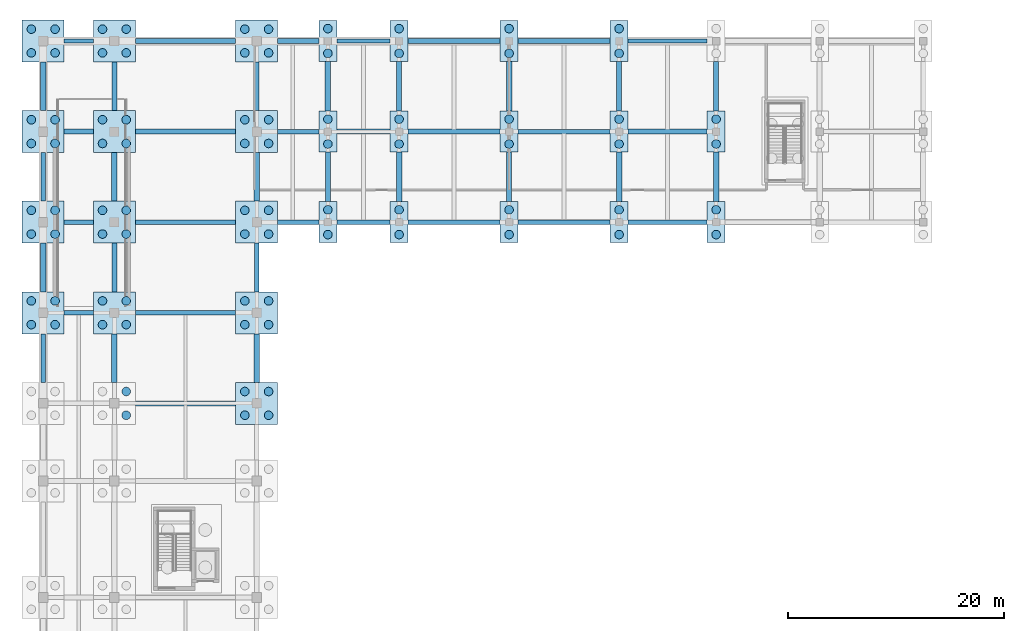
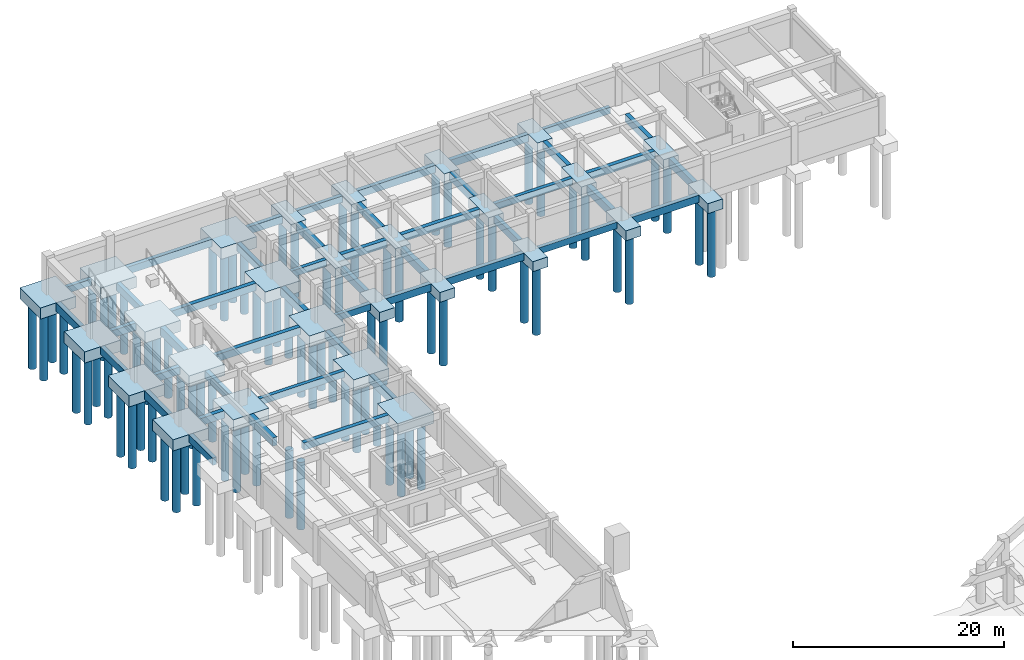
# One storey, part 4 of 28: 82 piles, 73 footings.
"""IFC4 building model written with IfcOpenShell, lengths in metres."""

from ifc_helpers import new_model, si_unit, direction, frame, origin, origin_2d, place, context, subcontext, project, spatial, rectangle, circle, extrude, material, layer, layer_set, material_profile, profile_set, type_object, element, save


model = new_model("IFC4")

# Units and contexts
model_context = context("Model", 3, precision=1e-05, world=origin(), true_north=direction((0.0, 1.0)))
body_context = subcontext(model_context, "Body", "Model", "MODEL_VIEW")
ifc_project = project(units=[si_unit("LENGTHUNIT", "METRE"), si_unit("AREAUNIT", "SQUARE_METRE"), si_unit("VOLUMEUNIT", "CUBIC_METRE"), si_unit("PLANEANGLEUNIT", "RADIAN"), si_unit("MASSUNIT", "GRAM", prefix="KILO")], contexts=[model_context])

# Site, building, storey
site_placement = place(None, origin())
site = spatial("IfcSite", under=ifc_project, at=site_placement, CompositionType="ELEMENT")
building_placement = place(site_placement, origin())
building = spatial("IfcBuilding", under=site, at=building_placement, Name="Miralva Faculty of Natural Sciences", CompositionType="ELEMENT")
storey_placement = place(building_placement, frame((0.0, 0.0, -4.5)))
storey = spatial("IfcBuildingStorey", under=building, at=storey_placement, Name="B1", CompositionType="ELEMENT", Elevation=-4.5)

# Footings
ifc_material = material(Name="Concrete C35/45", Category="concrete")
ifc_layer_1 = layer(ifc_material, 1.14990234375, Name="CAP-PC03")
ifc_layer_set_1 = layer_set([ifc_layer_1], Name="Concrete C35/45")
footing_type_1 = type_object("IfcFootingType", Name="CAP-PC03", PredefinedType="PILE_CAP", material=ifc_layer_set_1)
for number, where, z_axis, x_axis, name in (
    (1, (29.39990234375, 100.199951171875, -1.14990234375), (0.0, 0.0, 1.0), (1.0, 0.0, 0.0), "Pile cap CS-V4N-5L"),
    (2, (29.39990234375, 108.60009765625, -1.14990234375), (0.0, 0.0, 1.0), (1.0, 0.0, 0.0), "Pile cap CS-V4N-5M"),
    (3, (29.39990234375, 117.0, -1.14990234375), (0.0, 0.0, 1.0), (1.0, 0.0, 0.0), "Pile cap CS-V4N-5N"),
    (4, (36.0, 100.199951171875, -1.14990234375), (0.0, 0.0, 1.0), (1.0, 0.0, 0.0), "Pile cap CS-V4N-6L"),
    (5, (36.0, 108.60009765625, -1.14990234375), (0.0, 0.0, 1.0), (1.0, 0.0, 0.0), "Pile cap CS-V4N-6M"),
    (6, (36.0, 117.0, -1.14990234375), (0.0, 0.0, 1.0), (1.0, 0.0, 0.0), "Pile cap CS-V4N-6N"),
    (7, (46.199951171875, 100.199951171875, -1.14990234375), (0.0, 0.0, 1.0), (1.0, 0.0, 0.0), "Pile cap CS-V4N-7L"),
    (8, (46.199951171875, 108.60009765625, -1.14990234375), (0.0, 0.0, 1.0), (1.0, 0.0, 0.0), "Pile cap CS-V4N-7M"),
    (9, (46.199951171875, 117.0, -1.14990234375), (0.0, 0.0, 1.0), (1.0, 0.0, 0.0), "Pile cap CS-V4N-7N"),
    (10, (56.39990234375, 100.199951171875, -1.14990234375), (0.0, 0.0, 1.0), (1.0, 0.0, 0.0), "Pile cap CS-V4N-8L"),
    (11, (56.39990234375, 108.60009765625, -1.14990234375), (0.0, 0.0, 1.0), (1.0, 0.0, 0.0), "Pile cap CS-V4N-8M"),
    (12, (56.39990234375, 117.0, -1.14990234375), (0.0, 0.0, 1.0), (1.0, 0.0, 0.0), "Pile cap CS-V4N-8N"),
    (13, (65.39990234375, 100.199951171875, -1.14990234375), (0.0, 0.0, 1.0), (1.0, 0.0, 0.0), "Pile cap CS-V4N-9L"),
    (14, (65.39990234375, 108.60009765625, -1.14990234375), (0.0, 0.0, 1.0), (1.0, 0.0, 0.0), "Pile cap CS-V4N-9M"),
):
    element("IfcFooting", number, at=place(storey_placement, frame(where, z_axis=z_axis, x_axis=x_axis)), inside=storey, type_object=footing_type_1, Name=name, PredefinedType="PILE_CAP", context=body_context, shape_type="SweptSolid", body=[
        extrude(rectangle(XDim=1.64990234375, YDim=3.800048828125, at=origin_2d()), origin(), (0.0, 0.0, 1.0), 1.14990234375),
    ])
ifc_layer_2 = layer(ifc_material, 1.300048828125, Name="CAP-PC05")
ifc_layer_set_2 = layer_set([ifc_layer_2], Name="Concrete C35/45")
footing_type_2 = type_object("IfcFootingType", Name="CAP-PC05", PredefinedType="PILE_CAP", material=ifc_layer_set_2)
for number, where, z_axis, x_axis, name in (
    (15, (3.0, 91.800048828125, -1.2998046875), (0.0, 0.0, 1.0), (1.0, 0.0, 0.0), "Pile cap CS-V4W-1K"),
    (16, (3.0, 100.199951171875, -1.2998046875), (0.0, 0.0, 1.0), (1.0, 0.0, 0.0), "Pile cap CS-V4W-1L"),
    (17, (3.0, 108.60009765625, -1.2998046875), (0.0, 0.0, 1.0), (1.0, 0.0, 0.0), "Pile cap CS-V4W-1M"),
    (18, (3.0, 117.0, -1.2998046875), (0.0, 0.0, 1.0), (1.0, 0.0, 0.0), "Pile cap CS-V4W-1N"),
    (19, (9.60009765625, 91.800048828125, -1.2998046875), (0.0, 0.0, 1.0), (1.0, 0.0, 0.0), "Pile cap CS-V4W-2K"),
    (20, (9.60009765625, 100.199951171875, -1.2998046875), (0.0, 0.0, 1.0), (1.0, 0.0, 0.0), "Pile cap CS-V4W-2L"),
    (21, (9.60009765625, 108.60009765625, -1.2998046875), (0.0, 0.0, 1.0), (1.0, 0.0, 0.0), "Pile cap CS-V4W-2M"),
    (22, (9.60009765625, 117.0, -1.2998046875), (0.0, 0.0, 1.0), (1.0, 0.0, 0.0), "Pile cap CS-V4W-2N"),
    (23, (22.800048828125, 83.39990234375, -1.2998046875), (0.0, 0.0, 1.0), (1.0, 0.0, 0.0), "Pile cap CS-V4W-4J"),
    (24, (22.800048828125, 91.800048828125, -1.2998046875), (0.0, 0.0, 1.0), (1.0, 0.0, 0.0), "Pile cap CS-V4W-4K"),
    (25, (22.800048828125, 100.199951171875, -1.2998046875), (0.0, 0.0, 1.0), (1.0, 0.0, 0.0), "Pile cap CS-V4W-4L"),
    (26, (22.800048828125, 108.60009765625, -1.2998046875), (0.0, 0.0, 1.0), (1.0, 0.0, 0.0), "Pile cap CS-V4W-4M"),
    (27, (22.800048828125, 117.0, -1.2998046875), (0.0, 0.0, 1.0), (1.0, 0.0, 0.0), "Pile cap CS-V4W-4N"),
):
    element("IfcFooting", number, at=place(storey_placement, frame(where, z_axis=z_axis, x_axis=x_axis)), inside=storey, type_object=footing_type_2, Name=name, PredefinedType="PILE_CAP", context=body_context, shape_type="SweptSolid", body=[
        extrude(rectangle(XDim=3.89990234375, YDim=3.89990234375, at=origin_2d()), origin(), (0.0, 0.0, 1.0), 1.300048828125),
    ])

# Piles
ifc_material_profile_1 = material_profile(ifc_material, circle(Radius=0.39990234375, at=origin_2d()), Name="BORED PILE 800")
ifc_profile_set_1 = profile_set([ifc_material_profile_1], Name="Concrete C35/45")
pile_type = type_object("IfcPileType", Name="PILE-P800", PredefinedType="BORED", material=ifc_profile_set_1)
for number, where, z_axis, x_axis, name in (
    (28, (1.89990234375, 90.699951171875, -1.14990234375), (0.0, 0.0, -1.0), (1.0, 0.0, 0.0), "Bored pile CS-V4W-1K-1"),
    (29, (4.10009765625, 90.699951171875, -1.14990234375), (0.0, 0.0, -1.0), (1.0, 0.0, 0.0), "Bored pile CS-V4W-1K-2"),
    (30, (1.89990234375, 92.89990234375, -1.14990234375), (0.0, 0.0, -1.0), (1.0, 0.0, 0.0), "Bored pile CS-V4W-1K-3"),
    (31, (4.10009765625, 92.89990234375, -1.14990234375), (0.0, 0.0, -1.0), (1.0, 0.0, 0.0), "Bored pile CS-V4W-1K-4"),
    (32, (1.89990234375, 99.10009765625, -1.14990234375), (0.0, 0.0, -1.0), (1.0, 0.0, 0.0), "Bored pile CS-V4W-1L-1"),
    (33, (4.10009765625, 99.10009765625, -1.14990234375), (0.0, 0.0, -1.0), (1.0, 0.0, 0.0), "Bored pile CS-V4W-1L-2"),
    (34, (1.89990234375, 101.300048828125, -1.14990234375), (0.0, 0.0, -1.0), (1.0, 0.0, 0.0), "Bored pile CS-V4W-1L-3"),
    (35, (4.10009765625, 101.300048828125, -1.14990234375), (0.0, 0.0, -1.0), (1.0, 0.0, 0.0), "Bored pile CS-V4W-1L-4"),
    (36, (1.89990234375, 107.5, -1.14990234375), (0.0, 0.0, -1.0), (1.0, 0.0, 0.0), "Bored pile CS-V4W-1M-1"),
    (37, (4.10009765625, 107.5, -1.14990234375), (0.0, 0.0, -1.0), (1.0, 0.0, 0.0), "Bored pile CS-V4W-1M-2"),
    (38, (1.89990234375, 109.699951171875, -1.14990234375), (0.0, 0.0, -1.0), (1.0, 0.0, 0.0), "Bored pile CS-V4W-1M-3"),
    (39, (4.10009765625, 109.699951171875, -1.14990234375), (0.0, 0.0, -1.0), (1.0, 0.0, 0.0), "Bored pile CS-V4W-1M-4"),
    (40, (1.89990234375, 115.89990234375, -1.14990234375), (0.0, 0.0, -1.0), (1.0, 0.0, 0.0), "Bored pile CS-V4W-1N-1"),
    (41, (4.10009765625, 115.89990234375, -1.14990234375), (0.0, 0.0, -1.0), (1.0, 0.0, 0.0), "Bored pile CS-V4W-1N-2"),
    (42, (1.89990234375, 118.10009765625, -1.14990234375), (0.0, 0.0, -1.0), (1.0, 0.0, 0.0), "Bored pile CS-V4W-1N-3"),
    (43, (4.10009765625, 118.10009765625, -1.14990234375), (0.0, 0.0, -1.0), (1.0, 0.0, 0.0), "Bored pile CS-V4W-1N-4"),
    (44, (10.699951171875, 82.300048828125, -1.14990234375), (0.0, 0.0, -1.0), (1.0, 0.0, 0.0), "Bored pile CS-V4W-2J-2"),
    (45, (10.699951171875, 84.5, -1.14990234375), (0.0, 0.0, -1.0), (1.0, 0.0, 0.0), "Bored pile CS-V4W-2J-4"),
    (46, (8.5, 90.699951171875, -1.14990234375), (0.0, 0.0, -1.0), (1.0, 0.0, 0.0), "Bored pile CS-V4W-2K-1"),
    (47, (10.699951171875, 90.699951171875, -1.14990234375), (0.0, 0.0, -1.0), (1.0, 0.0, 0.0), "Bored pile CS-V4W-2K-2"),
    (48, (8.5, 92.89990234375, -1.14990234375), (0.0, 0.0, -1.0), (1.0, 0.0, 0.0), "Bored pile CS-V4W-2K-3"),
    (49, (10.699951171875, 92.89990234375, -1.14990234375), (0.0, 0.0, -1.0), (1.0, 0.0, 0.0), "Bored pile CS-V4W-2K-4"),
    (50, (8.5, 99.10009765625, -1.14990234375), (0.0, 0.0, -1.0), (1.0, 0.0, 0.0), "Bored pile CS-V4W-2L-1"),
    (51, (10.699951171875, 99.10009765625, -1.14990234375), (0.0, 0.0, -1.0), (1.0, 0.0, 0.0), "Bored pile CS-V4W-2L-2"),
    (52, (8.5, 101.300048828125, -1.14990234375), (0.0, 0.0, -1.0), (1.0, 0.0, 0.0), "Bored pile CS-V4W-2L-3"),
    (53, (10.699951171875, 101.300048828125, -1.14990234375), (0.0, 0.0, -1.0), (1.0, 0.0, 0.0), "Bored pile CS-V4W-2L-4"),
    (54, (8.5, 107.5, -1.14990234375), (0.0, 0.0, -1.0), (1.0, 0.0, 0.0), "Bored pile CS-V4W-2M-1"),
    (55, (10.699951171875, 107.5, -1.14990234375), (0.0, 0.0, -1.0), (1.0, 0.0, 0.0), "Bored pile CS-V4W-2M-2"),
    (56, (8.5, 109.699951171875, -1.14990234375), (0.0, 0.0, -1.0), (1.0, 0.0, 0.0), "Bored pile CS-V4W-2M-3"),
    (57, (10.699951171875, 109.699951171875, -1.14990234375), (0.0, 0.0, -1.0), (1.0, 0.0, 0.0), "Bored pile CS-V4W-2M-4"),
    (58, (8.5, 115.89990234375, -1.14990234375), (0.0, 0.0, -1.0), (1.0, 0.0, 0.0), "Bored pile CS-V4W-2N-1"),
    (59, (10.699951171875, 115.89990234375, -1.14990234375), (0.0, 0.0, -1.0), (1.0, 0.0, 0.0), "Bored pile CS-V4W-2N-2"),
    (60, (8.5, 118.10009765625, -1.14990234375), (0.0, 0.0, -1.0), (1.0, 0.0, 0.0), "Bored pile CS-V4W-2N-3"),
    (61, (10.699951171875, 118.10009765625, -1.14990234375), (0.0, 0.0, -1.0), (1.0, 0.0, 0.0), "Bored pile CS-V4W-2N-4"),
    (62, (21.699951171875, 82.300048828125, -1.14990234375), (0.0, 0.0, -1.0), (1.0, 0.0, 0.0), "Bored pile CS-V4W-4J-1"),
    (63, (23.89990234375, 82.300048828125, -1.14990234375), (0.0, 0.0, -1.0), (1.0, 0.0, 0.0), "Bored pile CS-V4W-4J-2"),
    (64, (21.699951171875, 84.5, -1.14990234375), (0.0, 0.0, -1.0), (1.0, 0.0, 0.0), "Bored pile CS-V4W-4J-3"),
    (65, (23.89990234375, 84.5, -1.14990234375), (0.0, 0.0, -1.0), (1.0, 0.0, 0.0), "Bored pile CS-V4W-4J-4"),
    (66, (21.699951171875, 90.699951171875, -1.14990234375), (0.0, 0.0, -1.0), (1.0, 0.0, 0.0), "Bored pile CS-V4W-4K-1"),
    (67, (23.89990234375, 90.699951171875, -1.14990234375), (0.0, 0.0, -1.0), (1.0, 0.0, 0.0), "Bored pile CS-V4W-4K-2"),
    (68, (21.699951171875, 92.89990234375, -1.14990234375), (0.0, 0.0, -1.0), (1.0, 0.0, 0.0), "Bored pile CS-V4W-4K-3"),
    (69, (23.89990234375, 92.89990234375, -1.14990234375), (0.0, 0.0, -1.0), (1.0, 0.0, 0.0), "Bored pile CS-V4W-4K-4"),
    (70, (21.699951171875, 99.10009765625, -1.14990234375), (0.0, 0.0, -1.0), (1.0, 0.0, 0.0), "Bored pile CS-V4W-4L-1"),
    (71, (23.89990234375, 99.10009765625, -1.14990234375), (0.0, 0.0, -1.0), (1.0, 0.0, 0.0), "Bored pile CS-V4W-4L-2"),
    (72, (21.699951171875, 101.300048828125, -1.14990234375), (0.0, 0.0, -1.0), (1.0, 0.0, 0.0), "Bored pile CS-V4W-4L-3"),
    (73, (23.89990234375, 101.300048828125, -1.14990234375), (0.0, 0.0, -1.0), (1.0, 0.0, 0.0), "Bored pile CS-V4W-4L-4"),
    (74, (21.699951171875, 107.5, -1.14990234375), (0.0, 0.0, -1.0), (1.0, 0.0, 0.0), "Bored pile CS-V4W-4M-1"),
    (75, (23.89990234375, 107.5, -1.14990234375), (0.0, 0.0, -1.0), (1.0, 0.0, 0.0), "Bored pile CS-V4W-4M-2"),
    (76, (21.699951171875, 109.699951171875, -1.14990234375), (0.0, 0.0, -1.0), (1.0, 0.0, 0.0), "Bored pile CS-V4W-4M-3"),
    (77, (23.89990234375, 109.699951171875, -1.14990234375), (0.0, 0.0, -1.0), (1.0, 0.0, 0.0), "Bored pile CS-V4W-4M-4"),
    (78, (21.699951171875, 115.89990234375, -1.14990234375), (0.0, 0.0, -1.0), (1.0, 0.0, 0.0), "Bored pile CS-V4W-4N-1"),
    (79, (23.89990234375, 115.89990234375, -1.14990234375), (0.0, 0.0, -1.0), (1.0, 0.0, 0.0), "Bored pile CS-V4W-4N-2"),
    (80, (21.699951171875, 118.10009765625, -1.14990234375), (0.0, 0.0, -1.0), (1.0, 0.0, 0.0), "Bored pile CS-V4W-4N-3"),
    (81, (23.89990234375, 118.10009765625, -1.14990234375), (0.0, 0.0, -1.0), (1.0, 0.0, 0.0), "Bored pile CS-V4W-4N-4"),
):
    element("IfcPile", number, at=place(storey_placement, frame(where, z_axis=z_axis, x_axis=x_axis)), inside=storey, type_object=pile_type, Name=name, PredefinedType="BORED", context=body_context, shape_type="SweptSolid", body=[
        extrude(circle(Radius=0.39990234375, at=origin_2d()), origin(), (0.0, 0.0, 1.0), 7.85009765625),
    ])
for number, where, z_axis, x_axis, name in (
    (82, (29.39990234375, 99.050048828125, -1.0), (0.0, 0.0, -1.0), (1.0, 0.0, 0.0), "Bored pile CS-V4N-5L-1"),
    (83, (29.39990234375, 101.35009765625, -1.0), (0.0, 0.0, -1.0), (1.0, 0.0, 0.0), "Bored pile CS-V4N-5L-2"),
    (84, (29.39990234375, 107.449951171875, -1.0), (0.0, 0.0, -1.0), (1.0, 0.0, 0.0), "Bored pile CS-V4N-5M-1"),
    (85, (29.39990234375, 109.75, -1.0), (0.0, 0.0, -1.0), (1.0, 0.0, 0.0), "Bored pile CS-V4N-5M-2"),
    (86, (29.39990234375, 115.85009765625, -1.0), (0.0, 0.0, -1.0), (1.0, 0.0, 0.0), "Bored pile CS-V4N-5N-1"),
    (87, (29.39990234375, 118.14990234375, -1.0), (0.0, 0.0, -1.0), (1.0, 0.0, 0.0), "Bored pile CS-V4N-5N-2"),
    (88, (36.0, 99.050048828125, -1.0), (0.0, 0.0, -1.0), (1.0, 0.0, 0.0), "Bored pile CS-V4N-6L-1"),
    (89, (36.0, 101.35009765625, -1.0), (0.0, 0.0, -1.0), (1.0, 0.0, 0.0), "Bored pile CS-V4N-6L-2"),
    (90, (36.0, 107.449951171875, -1.0), (0.0, 0.0, -1.0), (1.0, 0.0, 0.0), "Bored pile CS-V4N-6M-1"),
    (91, (36.0, 109.75, -1.0), (0.0, 0.0, -1.0), (1.0, 0.0, 0.0), "Bored pile CS-V4N-6M-2"),
    (92, (36.0, 115.85009765625, -1.0), (0.0, 0.0, -1.0), (1.0, 0.0, 0.0), "Bored pile CS-V4N-6N-1"),
    (93, (36.0, 118.14990234375, -1.0), (0.0, 0.0, -1.0), (1.0, 0.0, 0.0), "Bored pile CS-V4N-6N-2"),
    (94, (46.199951171875, 99.050048828125, -1.0), (0.0, 0.0, -1.0), (1.0, 0.0, 0.0), "Bored pile CS-V4N-7L-1"),
    (95, (46.199951171875, 101.35009765625, -1.0), (0.0, 0.0, -1.0), (1.0, 0.0, 0.0), "Bored pile CS-V4N-7L-2"),
    (96, (46.199951171875, 107.449951171875, -1.0), (0.0, 0.0, -1.0), (1.0, 0.0, 0.0), "Bored pile CS-V4N-7M-1"),
    (97, (46.199951171875, 109.75, -1.0), (0.0, 0.0, -1.0), (1.0, 0.0, 0.0), "Bored pile CS-V4N-7M-2"),
    (98, (46.199951171875, 115.85009765625, -1.0), (0.0, 0.0, -1.0), (1.0, 0.0, 0.0), "Bored pile CS-V4N-7N-1"),
    (99, (46.199951171875, 118.14990234375, -1.0), (0.0, 0.0, -1.0), (1.0, 0.0, 0.0), "Bored pile CS-V4N-7N-2"),
    (100, (56.39990234375, 99.050048828125, -1.0), (0.0, 0.0, -1.0), (1.0, 0.0, 0.0), "Bored pile CS-V4N-8L-1"),
    (101, (56.39990234375, 101.35009765625, -1.0), (0.0, 0.0, -1.0), (1.0, 0.0, 0.0), "Bored pile CS-V4N-8L-2"),
    (102, (56.39990234375, 107.449951171875, -1.0), (0.0, 0.0, -1.0), (1.0, 0.0, 0.0), "Bored pile CS-V4N-8M-1"),
    (103, (56.39990234375, 109.75, -1.0), (0.0, 0.0, -1.0), (1.0, 0.0, 0.0), "Bored pile CS-V4N-8M-2"),
    (104, (56.39990234375, 115.85009765625, -1.0), (0.0, 0.0, -1.0), (1.0, 0.0, 0.0), "Bored pile CS-V4N-8N-1"),
    (105, (56.39990234375, 118.14990234375, -1.0), (0.0, 0.0, -1.0), (1.0, 0.0, 0.0), "Bored pile CS-V4N-8N-2"),
    (106, (65.39990234375, 99.050048828125, -1.0), (0.0, 0.0, -1.0), (1.0, 0.0, 0.0), "Bored pile CS-V4N-9L-1"),
    (107, (65.39990234375, 101.35009765625, -1.0), (0.0, 0.0, -1.0), (1.0, 0.0, 0.0), "Bored pile CS-V4N-9L-2"),
    (108, (65.39990234375, 107.449951171875, -1.0), (0.0, 0.0, -1.0), (1.0, 0.0, 0.0), "Bored pile CS-V4N-9M-1"),
    (109, (65.39990234375, 109.75, -1.0), (0.0, 0.0, -1.0), (1.0, 0.0, 0.0), "Bored pile CS-V4N-9M-2"),
):
    element("IfcPile", number, at=place(storey_placement, frame(where, z_axis=z_axis, x_axis=x_axis)), inside=storey, type_object=pile_type, Name=name, PredefinedType="BORED", context=body_context, shape_type="SweptSolid", body=[
        extrude(circle(Radius=0.39990234375, at=origin_2d()), origin(), (0.0, 0.0, 1.0), 8.0),
    ])

# Footings
ifc_material_profile_2 = material_profile(ifc_material, rectangle(XDim=0.449951171875, YDim=0.85009765625, at=origin_2d()), Name="RC 450x850")
ifc_profile_set_2 = profile_set([ifc_material_profile_2], Name="Concrete C35/45")
footing_type_3 = type_object("IfcFootingType", Name="TB-01", PredefinedType="FOOTING_BEAM", material=ifc_profile_set_2)
for number, where, z_axis, x_axis, name in (
    (110, (3.0, 85.35009765625, -0.425048828125), (0.0, 1.0, 0.0), (-1.0, 0.0, 0.0), "Foundation tie beam NS 10"),
    (111, (3.0, 102.14990234375, -0.425048828125), (0.0, 1.0, 0.0), (-1.0, 0.0, 0.0), "Foundation tie beam NS 12"),
    (112, (9.60009765625, 93.75, -0.425048828125), (0.0, 1.0, 0.0), (-1.0, 0.0, 0.0), "Foundation tie beam NS 24"),
    (113, (9.60009765625, 110.550048828125, -0.425048828125), (0.0, 1.0, 0.0), (-1.0, 0.0, 0.0), "Foundation tie beam NS 26"),
    (114, (22.800048828125, 93.75, -0.425048828125), (0.0, 1.0, 0.0), (-1.0, 0.0, 0.0), "Foundation tie beam NS 38"),
    (115, (22.800048828125, 110.550048828125, -0.425048828125), (0.0, 1.0, 0.0), (-1.0, 0.0, 0.0), "Foundation tie beam NS 40"),
):
    element("IfcFooting", number, at=place(storey_placement, frame(where, z_axis=z_axis, x_axis=x_axis)), inside=storey, type_object=footing_type_3, Name=name, PredefinedType="FOOTING_BEAM", context=body_context, shape_type="SweptSolid", body=[
        extrude(rectangle(XDim=0.449951171875, YDim=0.85009765625, at=origin_2d()), origin(), (0.0, 0.0, 1.0), 4.5),
    ])
footing_1_placement = place(storey_placement, frame((29.39990234375, 102.10009765625, -0.425048828125), z_axis=(0.0, 1.0, 0.0), x_axis=(-1.0, 0.0, 0.0)))
element("IfcFooting", 116, at=footing_1_placement, inside=storey, type_object=footing_type_3, Name="Foundation tie beam NS 44", PredefinedType="FOOTING_BEAM", context=body_context, shape_type="SweptSolid", body=[
    extrude(rectangle(XDim=0.449951171875, YDim=0.85009765625, at=origin_2d()), origin(), (0.0, 0.0, 1.0), 4.599853515625),
])
footing_2_placement = place(storey_placement, frame((36.0, 110.5, -0.425048828125), z_axis=(0.0, 1.0, 0.0), x_axis=(-1.0, 0.0, 0.0)))
element("IfcFooting", 117, at=footing_2_placement, inside=storey, type_object=footing_type_3, Name="Foundation tie beam NS 50", PredefinedType="FOOTING_BEAM", context=body_context, shape_type="SweptSolid", body=[
    extrude(rectangle(XDim=0.449951171875, YDim=0.85009765625, at=origin_2d()), origin(), (0.0, 0.0, 1.0), 4.60009765625),
])
footing_3_placement = place(storey_placement, frame((46.199951171875, 102.10009765625, -0.425048828125), z_axis=(0.0, 1.0, 0.0), x_axis=(-1.0, 0.0, 0.0)))
element("IfcFooting", 118, at=footing_3_placement, inside=storey, type_object=footing_type_3, Name="Foundation tie beam NS 52", PredefinedType="FOOTING_BEAM", context=body_context, shape_type="SweptSolid", body=[
    extrude(rectangle(XDim=0.449951171875, YDim=0.85009765625, at=origin_2d()), origin(), (0.0, 0.0, 1.0), 4.599853515625),
])
for number, where, z_axis, x_axis, name in (
    (119, (56.39990234375, 110.5, -0.425048828125), (0.0, 1.0, 0.0), (-1.0, 0.0, 0.0), "Foundation tie beam NS 56"),
    (120, (65.39990234375, 110.5, -0.425048828125), (0.0, 1.0, 0.0), (-1.0, 0.0, 0.0), "Foundation tie beam NS 58"),
):
    element("IfcFooting", number, at=place(storey_placement, frame(where, z_axis=z_axis, x_axis=x_axis)), inside=storey, type_object=footing_type_3, Name=name, PredefinedType="FOOTING_BEAM", context=body_context, shape_type="SweptSolid", body=[
        extrude(rectangle(XDim=0.449951171875, YDim=0.85009765625, at=origin_2d()), origin(), (0.0, 0.0, 1.0), 4.60009765625),
    ])
footing_4_placement = place(storey_placement, frame((11.550048828125, 83.39990234375, -0.425048828125), z_axis=(1.0, 0.0, 0.0), x_axis=(0.0, 1.0, 0.0)))
element("IfcFooting", 121, at=footing_4_placement, inside=storey, type_object=footing_type_3, Name="Foundation tie beam EW 178", PredefinedType="FOOTING_BEAM", context=body_context, shape_type="SweptSolid", body=[
    extrude(rectangle(XDim=0.449951171875, YDim=0.85009765625, at=origin_2d()), origin(), (0.0, 0.0, 1.0), 9.300048828125),
])
for number, where, z_axis, x_axis, name in (
    (122, (4.949951171875, 91.800048828125, -0.425048828125), (1.0, 0.0, 0.0), (0.0, 1.0, 0.0), "Foundation tie beam EW 182"),
    (123, (4.949951171875, 100.199951171875, -0.425048828125), (1.0, 0.0, 0.0), (0.0, 1.0, 0.0), "Foundation tie beam EW 187"),
):
    element("IfcFooting", number, at=place(storey_placement, frame(where, z_axis=z_axis, x_axis=x_axis)), inside=storey, type_object=footing_type_3, Name=name, PredefinedType="FOOTING_BEAM", context=body_context, shape_type="SweptSolid", body=[
        extrude(rectangle(XDim=0.449951171875, YDim=0.85009765625, at=origin_2d()), origin(), (0.0, 0.0, 1.0), 2.699951171875),
    ])
footing_5_placement = place(storey_placement, frame((11.550048828125, 100.199951171875, -0.425048828125), z_axis=(1.0, 0.0, 0.0), x_axis=(0.0, 1.0, 0.0)))
element("IfcFooting", 124, at=footing_5_placement, inside=storey, type_object=footing_type_3, Name="Foundation tie beam EW 188", PredefinedType="FOOTING_BEAM", context=body_context, shape_type="SweptSolid", body=[
    extrude(rectangle(XDim=0.449951171875, YDim=0.85009765625, at=origin_2d()), origin(), (0.0, 0.0, 1.0), 9.300048828125),
])
footing_6_placement = place(storey_placement, frame((30.22509765625, 100.199951171875, -0.425048828125), z_axis=(1.0, 0.0, 0.0), x_axis=(0.0, 1.0, 0.0)))
element("IfcFooting", 125, at=footing_6_placement, inside=storey, type_object=footing_type_3, Name="Foundation tie beam EW 190", PredefinedType="FOOTING_BEAM", context=body_context, shape_type="SweptSolid", body=[
    extrude(rectangle(XDim=0.449951171875, YDim=0.85009765625, at=origin_2d()), origin(), (0.0, 0.0, 1.0), 4.949951171875),
])
footing_7_placement = place(storey_placement, frame((36.824951171875, 100.199951171875, -0.425048828125), z_axis=(1.0, 0.0, 0.0), x_axis=(0.0, 1.0, 0.0)))
element("IfcFooting", 126, at=footing_7_placement, inside=storey, type_object=footing_type_3, Name="Foundation tie beam EW 191", PredefinedType="FOOTING_BEAM", context=body_context, shape_type="SweptSolid", body=[
    extrude(rectangle(XDim=0.449951171875, YDim=0.85009765625, at=origin_2d()), origin(), (0.0, 0.0, 1.0), 8.550048828125),
])
footing_8_placement = place(storey_placement, frame((57.22509765625, 100.199951171875, -0.425048828125), z_axis=(1.0, 0.0, 0.0), x_axis=(0.0, 1.0, 0.0)))
element("IfcFooting", 127, at=footing_8_placement, inside=storey, type_object=footing_type_3, Name="Foundation tie beam EW 193", PredefinedType="FOOTING_BEAM", context=body_context, shape_type="SweptSolid", body=[
    extrude(rectangle(XDim=0.449951171875, YDim=0.85009765625, at=origin_2d()), origin(), (0.0, 0.0, 1.0), 7.349853515625),
])
footing_9_placement = place(storey_placement, frame((4.949951171875, 108.60009765625, -0.425048828125), z_axis=(1.0, 0.0, 0.0), x_axis=(0.0, 1.0, 0.0)))
element("IfcFooting", 128, at=footing_9_placement, inside=storey, type_object=footing_type_3, Name="Foundation tie beam EW 199", PredefinedType="FOOTING_BEAM", context=body_context, shape_type="SweptSolid", body=[
    extrude(rectangle(XDim=0.449951171875, YDim=0.85009765625, at=origin_2d()), origin(), (0.0, 0.0, 1.0), 2.699951171875),
])
footing_10_placement = place(storey_placement, frame((11.550048828125, 108.60009765625, -0.425048828125), z_axis=(1.0, 0.0, 0.0), x_axis=(0.0, 1.0, 0.0)))
element("IfcFooting", 129, at=footing_10_placement, inside=storey, type_object=footing_type_3, Name="Foundation tie beam EW 200", PredefinedType="FOOTING_BEAM", context=body_context, shape_type="SweptSolid", body=[
    extrude(rectangle(XDim=0.449951171875, YDim=0.85009765625, at=origin_2d()), origin(), (0.0, 0.0, 1.0), 9.300048828125),
])
footing_11_placement = place(storey_placement, frame((30.22509765625, 108.60009765625, -0.425048828125), z_axis=(1.0, 0.0, 0.0), x_axis=(0.0, 1.0, 0.0)))
element("IfcFooting", 130, at=footing_11_placement, inside=storey, type_object=footing_type_3, Name="Foundation tie beam EW 202", PredefinedType="FOOTING_BEAM", context=body_context, shape_type="SweptSolid", body=[
    extrude(rectangle(XDim=0.449951171875, YDim=0.85009765625, at=origin_2d()), origin(), (0.0, 0.0, 1.0), 4.949951171875),
])
footing_12_placement = place(storey_placement, frame((36.824951171875, 108.60009765625, -0.425048828125), z_axis=(1.0, 0.0, 0.0), x_axis=(0.0, 1.0, 0.0)))
element("IfcFooting", 131, at=footing_12_placement, inside=storey, type_object=footing_type_3, Name="Foundation tie beam EW 203", PredefinedType="FOOTING_BEAM", context=body_context, shape_type="SweptSolid", body=[
    extrude(rectangle(XDim=0.449951171875, YDim=0.85009765625, at=origin_2d()), origin(), (0.0, 0.0, 1.0), 8.550048828125),
])
footing_13_placement = place(storey_placement, frame((57.22509765625, 108.60009765625, -0.425048828125), z_axis=(1.0, 0.0, 0.0), x_axis=(0.0, 1.0, 0.0)))
element("IfcFooting", 132, at=footing_13_placement, inside=storey, type_object=footing_type_3, Name="Foundation tie beam EW 205", PredefinedType="FOOTING_BEAM", context=body_context, shape_type="SweptSolid", body=[
    extrude(rectangle(XDim=0.449951171875, YDim=0.85009765625, at=origin_2d()), origin(), (0.0, 0.0, 1.0), 7.349853515625),
])
footing_14_placement = place(storey_placement, frame((11.550048828125, 117.0, -0.425048828125), z_axis=(1.0, 0.0, 0.0), x_axis=(0.0, 1.0, 0.0)))
element("IfcFooting", 133, at=footing_14_placement, inside=storey, type_object=footing_type_3, Name="Foundation tie beam EW 211", PredefinedType="FOOTING_BEAM", context=body_context, shape_type="SweptSolid", body=[
    extrude(rectangle(XDim=0.449951171875, YDim=0.85009765625, at=origin_2d()), origin(), (0.0, 0.0, 1.0), 9.300048828125),
])
footing_15_placement = place(storey_placement, frame((24.75, 117.0, -0.425048828125), z_axis=(1.0, 0.0, 0.0), x_axis=(0.0, 1.0, 0.0)))
element("IfcFooting", 134, at=footing_15_placement, inside=storey, type_object=footing_type_3, Name="Foundation tie beam EW 212", PredefinedType="FOOTING_BEAM", context=body_context, shape_type="SweptSolid", body=[
    extrude(rectangle(XDim=0.449951171875, YDim=0.85009765625, at=origin_2d()), origin(), (0.0, 0.0, 1.0), 3.824951171875),
])
for number, where, z_axis, x_axis, name in (
    (135, (36.824951171875, 117.0, -0.425048828125), (1.0, 0.0, 0.0), (0.0, 1.0, 0.0), "Foundation tie beam EW 214"),
    (136, (47.02490234375, 117.0, -0.425048828125), (1.0, 0.0, 0.0), (0.0, 1.0, 0.0), "Foundation tie beam EW 215"),
):
    element("IfcFooting", number, at=place(storey_placement, frame(where, z_axis=z_axis, x_axis=x_axis)), inside=storey, type_object=footing_type_3, Name=name, PredefinedType="FOOTING_BEAM", context=body_context, shape_type="SweptSolid", body=[
        extrude(rectangle(XDim=0.449951171875, YDim=0.85009765625, at=origin_2d()), origin(), (0.0, 0.0, 1.0), 8.550048828125),
    ])
ifc_material_profile_3 = material_profile(ifc_material, rectangle(XDim=0.5, YDim=0.949951171875, at=origin_2d()), Name="RC 500x950")
ifc_profile_set_3 = profile_set([ifc_material_profile_3], Name="Concrete C35/45")
footing_type_4 = type_object("IfcFootingType", Name="TB-02", PredefinedType="FOOTING_BEAM", material=ifc_profile_set_3)
for number, where, z_axis, x_axis, name in (
    (137, (3.0, 93.75, -0.47509765625), (0.0, 1.0, 0.0), (-1.0, 0.0, 0.0), "Foundation tie beam NS 11"),
    (138, (3.0, 110.550048828125, -0.47509765625), (0.0, 1.0, 0.0), (-1.0, 0.0, 0.0), "Foundation tie beam NS 13"),
    (139, (9.60009765625, 85.35009765625, -0.47509765625), (0.0, 1.0, 0.0), (-1.0, 0.0, 0.0), "Foundation tie beam NS 23"),
    (140, (9.60009765625, 102.14990234375, -0.47509765625), (0.0, 1.0, 0.0), (-1.0, 0.0, 0.0), "Foundation tie beam NS 25"),
    (141, (22.800048828125, 85.35009765625, -0.47509765625), (0.0, 1.0, 0.0), (-1.0, 0.0, 0.0), "Foundation tie beam NS 37"),
    (142, (22.800048828125, 102.14990234375, -0.47509765625), (0.0, 1.0, 0.0), (-1.0, 0.0, 0.0), "Foundation tie beam NS 39"),
):
    element("IfcFooting", number, at=place(storey_placement, frame(where, z_axis=z_axis, x_axis=x_axis)), inside=storey, type_object=footing_type_4, Name=name, PredefinedType="FOOTING_BEAM", context=body_context, shape_type="SweptSolid", body=[
        extrude(rectangle(XDim=0.5, YDim=0.949951171875, at=origin_2d()), origin(), (0.0, 0.0, 1.0), 4.5),
    ])
footing_16_placement = place(storey_placement, frame((29.39990234375, 110.5, -0.47509765625), z_axis=(0.0, 1.0, 0.0), x_axis=(-1.0, 0.0, 0.0)))
element("IfcFooting", 143, at=footing_16_placement, inside=storey, type_object=footing_type_4, Name="Foundation tie beam NS 45", PredefinedType="FOOTING_BEAM", context=body_context, shape_type="SweptSolid", body=[
    extrude(rectangle(XDim=0.5, YDim=0.949951171875, at=origin_2d()), origin(), (0.0, 0.0, 1.0), 4.60009765625),
])
footing_17_placement = place(storey_placement, frame((36.0, 102.10009765625, -0.47509765625), z_axis=(0.0, 1.0, 0.0), x_axis=(-1.0, 0.0, 0.0)))
element("IfcFooting", 144, at=footing_17_placement, inside=storey, type_object=footing_type_4, Name="Foundation tie beam NS 49", PredefinedType="FOOTING_BEAM", context=body_context, shape_type="SweptSolid", body=[
    extrude(rectangle(XDim=0.5, YDim=0.949951171875, at=origin_2d()), origin(), (0.0, 0.0, 1.0), 4.599853515625),
])
footing_18_placement = place(storey_placement, frame((46.199951171875, 110.5, -0.47509765625), z_axis=(0.0, 1.0, 0.0), x_axis=(-1.0, 0.0, 0.0)))
element("IfcFooting", 145, at=footing_18_placement, inside=storey, type_object=footing_type_4, Name="Foundation tie beam NS 53", PredefinedType="FOOTING_BEAM", context=body_context, shape_type="SweptSolid", body=[
    extrude(rectangle(XDim=0.5, YDim=0.949951171875, at=origin_2d()), origin(), (0.0, 0.0, 1.0), 4.60009765625),
])
for number, where, z_axis, x_axis, name in (
    (146, (56.39990234375, 102.10009765625, -0.47509765625), (0.0, 1.0, 0.0), (-1.0, 0.0, 0.0), "Foundation tie beam NS 55"),
    (147, (65.39990234375, 102.10009765625, -0.47509765625), (0.0, 1.0, 0.0), (-1.0, 0.0, 0.0), "Foundation tie beam NS 57"),
):
    element("IfcFooting", number, at=place(storey_placement, frame(where, z_axis=z_axis, x_axis=x_axis)), inside=storey, type_object=footing_type_4, Name=name, PredefinedType="FOOTING_BEAM", context=body_context, shape_type="SweptSolid", body=[
        extrude(rectangle(XDim=0.5, YDim=0.949951171875, at=origin_2d()), origin(), (0.0, 0.0, 1.0), 4.599853515625),
    ])
ifc_material_profile_4 = material_profile(ifc_material, rectangle(XDim=0.39990234375, YDim=0.75, at=origin_2d()), Name="RC 400x750")
ifc_profile_set_4 = profile_set([ifc_material_profile_4], Name="Concrete C35/45")
footing_type_5 = type_object("IfcFootingType", Name="TB-04", PredefinedType="FOOTING_BEAM", material=ifc_profile_set_4)
footing_19_placement = place(storey_placement, frame((11.550048828125, 91.800048828125, -0.375), z_axis=(1.0, 0.0, 0.0), x_axis=(0.0, 1.0, 0.0)))
element("IfcFooting", 148, at=footing_19_placement, inside=storey, type_object=footing_type_5, Name="Foundation tie beam EW 183", PredefinedType="FOOTING_BEAM", context=body_context, shape_type="SweptSolid", body=[
    extrude(rectangle(XDim=0.39990234375, YDim=0.75, at=origin_2d()), origin(), (0.0, 0.0, 1.0), 9.300048828125),
])
footing_20_placement = place(storey_placement, frame((24.75, 100.199951171875, -0.375), z_axis=(1.0, 0.0, 0.0), x_axis=(0.0, 1.0, 0.0)))
element("IfcFooting", 149, at=footing_20_placement, inside=storey, type_object=footing_type_5, Name="Foundation tie beam EW 189", PredefinedType="FOOTING_BEAM", context=body_context, shape_type="SweptSolid", body=[
    extrude(rectangle(XDim=0.39990234375, YDim=0.75, at=origin_2d()), origin(), (0.0, 0.0, 1.0), 3.824951171875),
])
footing_21_placement = place(storey_placement, frame((47.02490234375, 100.199951171875, -0.375), z_axis=(1.0, 0.0, 0.0), x_axis=(0.0, 1.0, 0.0)))
element("IfcFooting", 150, at=footing_21_placement, inside=storey, type_object=footing_type_5, Name="Foundation tie beam EW 192", PredefinedType="FOOTING_BEAM", context=body_context, shape_type="SweptSolid", body=[
    extrude(rectangle(XDim=0.39990234375, YDim=0.75, at=origin_2d()), origin(), (0.0, 0.0, 1.0), 8.550048828125),
])
footing_22_placement = place(storey_placement, frame((24.75, 108.60009765625, -0.375), z_axis=(1.0, 0.0, 0.0), x_axis=(0.0, 1.0, 0.0)))
element("IfcFooting", 151, at=footing_22_placement, inside=storey, type_object=footing_type_5, Name="Foundation tie beam EW 201", PredefinedType="FOOTING_BEAM", context=body_context, shape_type="SweptSolid", body=[
    extrude(rectangle(XDim=0.39990234375, YDim=0.75, at=origin_2d()), origin(), (0.0, 0.0, 1.0), 3.824951171875),
])
footing_23_placement = place(storey_placement, frame((47.02490234375, 108.60009765625, -0.375), z_axis=(1.0, 0.0, 0.0), x_axis=(0.0, 1.0, 0.0)))
element("IfcFooting", 152, at=footing_23_placement, inside=storey, type_object=footing_type_5, Name="Foundation tie beam EW 204", PredefinedType="FOOTING_BEAM", context=body_context, shape_type="SweptSolid", body=[
    extrude(rectangle(XDim=0.39990234375, YDim=0.75, at=origin_2d()), origin(), (0.0, 0.0, 1.0), 8.550048828125),
])
footing_24_placement = place(storey_placement, frame((4.949951171875, 117.0, -0.375), z_axis=(1.0, 0.0, 0.0), x_axis=(0.0, 1.0, 0.0)))
element("IfcFooting", 153, at=footing_24_placement, inside=storey, type_object=footing_type_5, Name="Foundation tie beam EW 210", PredefinedType="FOOTING_BEAM", context=body_context, shape_type="SweptSolid", body=[
    extrude(rectangle(XDim=0.39990234375, YDim=0.75, at=origin_2d()), origin(), (0.0, 0.0, 1.0), 2.699951171875),
])
footing_25_placement = place(storey_placement, frame((30.22509765625, 117.0, -0.375), z_axis=(1.0, 0.0, 0.0), x_axis=(0.0, 1.0, 0.0)))
element("IfcFooting", 154, at=footing_25_placement, inside=storey, type_object=footing_type_5, Name="Foundation tie beam EW 213", PredefinedType="FOOTING_BEAM", context=body_context, shape_type="SweptSolid", body=[
    extrude(rectangle(XDim=0.39990234375, YDim=0.75, at=origin_2d()), origin(), (0.0, 0.0, 1.0), 4.949951171875),
])
footing_26_placement = place(storey_placement, frame((57.22509765625, 117.0, -0.375), z_axis=(1.0, 0.0, 0.0), x_axis=(0.0, 1.0, 0.0)))
element("IfcFooting", 155, at=footing_26_placement, inside=storey, type_object=footing_type_5, Name="Foundation tie beam EW 216", PredefinedType="FOOTING_BEAM", context=body_context, shape_type="SweptSolid", body=[
    extrude(rectangle(XDim=0.39990234375, YDim=0.75, at=origin_2d()), origin(), (0.0, 0.0, 1.0), 7.349853515625),
])

save(model, "model.ifc")
